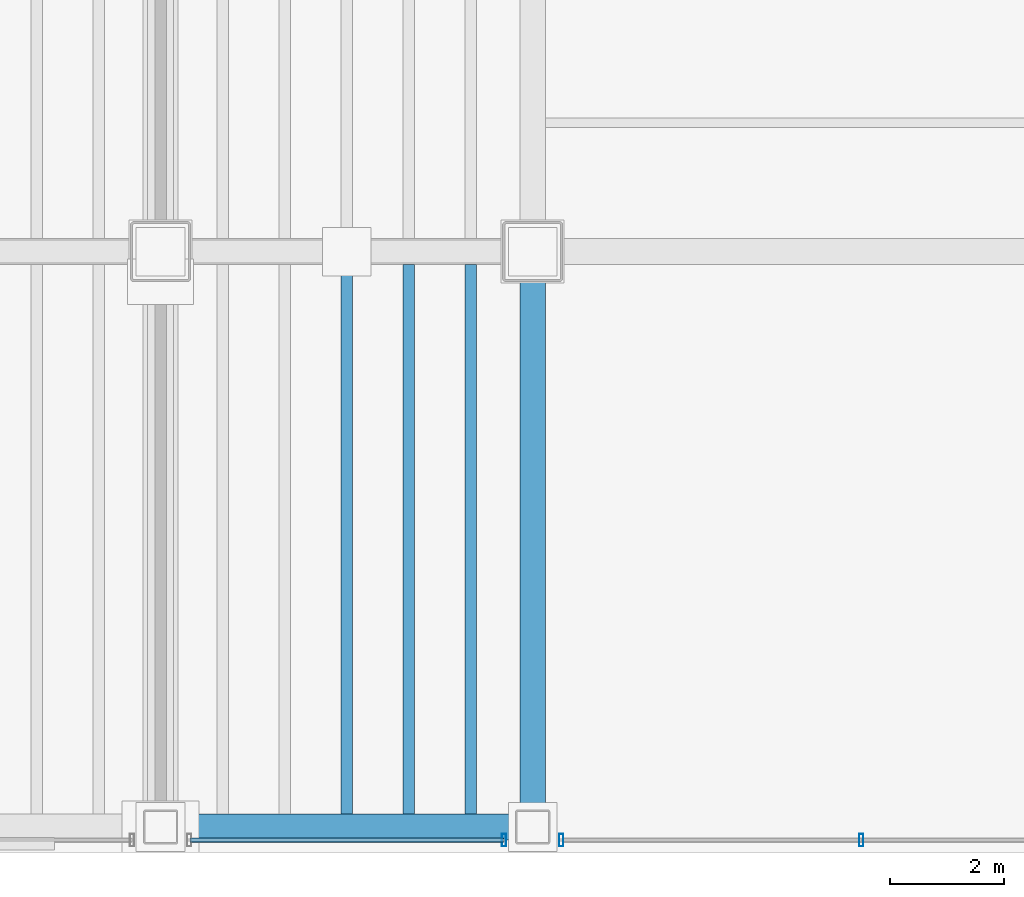
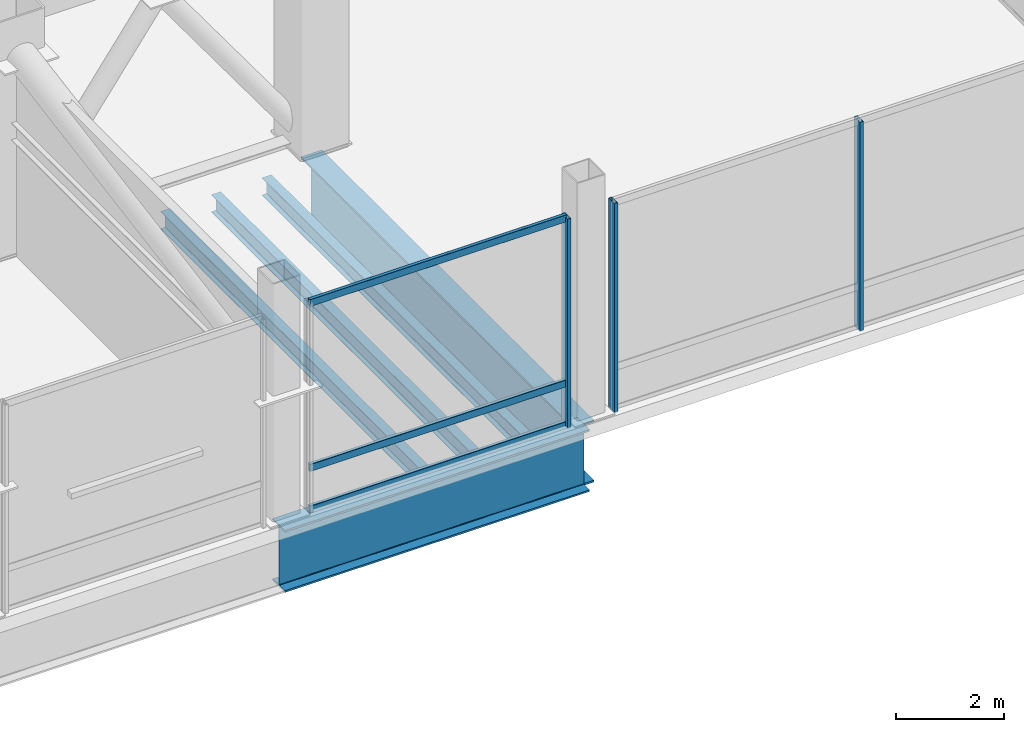
# One storey, part 11 of 20: 6 members, 5 beams, 2 elements without a shape of their own.
"""IFC4 building model written with IfcOpenShell, lengths in metres."""

from ifc_helpers import new_model, si_unit, direction, frame, origin, origin_2d, place, context, subcontext, project, spatial, hollow_rectangle, i_section, extrude, material, material_profile, profile_set, type_object, element, aggregate, save


model = new_model("IFC4")

# Units and contexts
model_context = context("Model", 3, precision=1e-05, world=origin(), true_north=direction((0.0, 1.0)))
body_context = subcontext(model_context, "Body", "Model", "MODEL_VIEW")
ifc_project = project(units=[si_unit("LENGTHUNIT", "METRE"), si_unit("AREAUNIT", "SQUARE_METRE"), si_unit("VOLUMEUNIT", "CUBIC_METRE"), si_unit("PLANEANGLEUNIT", "RADIAN"), si_unit("MASSUNIT", "GRAM", prefix="KILO")], contexts=[model_context])

# Site, building, storey
site_placement = place(None, origin())
site = spatial("IfcSite", under=ifc_project, at=site_placement, CompositionType="ELEMENT")
building_placement = place(site_placement, origin())
building = spatial("IfcBuilding", under=site, at=building_placement, Name="Noeulbin Bourse Tower", CompositionType="ELEMENT")
storey_placement = place(building_placement, frame((0.0, 0.0, 100.60009765625)))
storey = spatial("IfcBuildingStorey", under=building, at=storey_placement, Name="L25", CompositionType="ELEMENT", Elevation=100.60009765625)

# Beams
ifc_material_1 = material(Name="Steel S355", Category="steel")
ifc_material_profile_1 = material_profile(ifc_material_1, i_section(OverallWidth=0.199951171875, OverallDepth=0.39990234375, WebThickness=0.008056640625, FlangeThickness=0.012939453125, FilletRadius=0.01611328125, at=origin_2d()), Name="H-400x200x8x13", Category="LoadBearing")
ifc_profile_set_1 = profile_set([ifc_material_profile_1], Name="Steel S355")
beam_type_1 = type_object("IfcBeamType", Name="BM-SEC-400", PredefinedType="BEAM", material=ifc_profile_set_1)
for number, where, z_axis, x_axis, name in (
    (1, (40.75, 10.175048828125, -0.5), (0.0, 1.0, 0.0), (-1.0, 0.0, 0.0), "Tower Composite Joist L25-61"),
    (2, (41.833251953125, 10.175048828125, -0.5), (0.0, 1.0, 0.0), (-1.0, 0.0, 0.0), "Tower Composite Joist L25-64"),
    (3, (42.916748046875, 10.175048828125, -0.5), (0.0, 1.0, 0.0), (-1.0, 0.0, 0.0), "Tower Composite Joist L25-67"),
):
    element("IfcBeam", number, at=place(storey_placement, frame(where, z_axis=z_axis, x_axis=x_axis)), inside=storey, type_object=beam_type_1, Name=name, PredefinedType="BEAM", context=body_context, shape_type="SweptSolid", body=[
        extrude(i_section(OverallWidth=0.199951171875, OverallDepth=0.39990234375, WebThickness=0.008056640625, FlangeThickness=0.012939453125, FilletRadius=0.01611328125, at=origin_2d()), origin(), (0.0, 0.0, 1.0), 9.599853515625),
    ])
ifc_material_2 = material(Name="Steel S460", Category="steel")
ifc_material_profile_2 = material_profile(ifc_material_2, i_section(OverallWidth=0.449951171875, OverallDepth=1.39990234375, WebThickness=0.02392578125, FlangeThickness=0.0400390625, FilletRadius=0.02392578125, at=origin_2d()), Name="PG-1400x450x24x40", Category="LoadBearing")
ifc_profile_set_2 = profile_set([ifc_material_profile_2], Name="Steel S460")
beam_type_2 = type_object("IfcBeamType", Name="BM-TRF-1400", PredefinedType="USERDEFINED", material=ifc_profile_set_2)
beam_1_placement = place(storey_placement, frame((44.0, 9.949951171875, -1.0), z_axis=(0.0, 1.0, 0.0), x_axis=(-1.0, 0.0, 0.0)))
element("IfcBeam", 4, at=beam_1_placement, inside=storey, type_object=beam_type_2, Name="Tower Primary Girder NS L25-5.1", ObjectType="GIRDER", PredefinedType="USERDEFINED", context=body_context, shape_type="SweptSolid", body=[
    extrude(i_section(OverallWidth=0.449951171875, OverallDepth=1.39990234375, WebThickness=0.02392578125, FlangeThickness=0.0400390625, FilletRadius=0.02392578125, at=origin_2d()), origin(), (0.0, 0.0, 1.0), 10.050048828125),
])
beam_2_placement = place(storey_placement, frame((37.5, 9.949951171875, -1.0), z_axis=(1.0, 0.0, 0.0), x_axis=(0.0, 1.0, 0.0)))
element("IfcBeam", 5, at=beam_2_placement, inside=storey, type_object=beam_type_2, Name="South Spandrel L25-4", ObjectType="GIRDER", PredefinedType="USERDEFINED", context=body_context, shape_type="SweptSolid", body=[
    extrude(i_section(OverallWidth=0.449951171875, OverallDepth=1.39990234375, WebThickness=0.02392578125, FlangeThickness=0.0400390625, FilletRadius=0.02392578125, at=origin_2d()), origin(), (0.0, 0.0, 1.0), 6.5),
])

# Curtain wall, member
ifc_material_3 = material(Name="Translucent Ceramic-Fritted Glass", Category="glass")
curtain_wall_type = type_object("IfcCurtainWallType", Name="CW-SYS-5", PredefinedType="NOTDEFINED", material=ifc_material_3)
curtain_wall_1_placement = place(storey_placement, origin())
curtain_wall_1 = element("IfcCurtainWall", 6, at=curtain_wall_1_placement, inside=storey, type_object=curtain_wall_type, Name="Unitised Curtain Wall CW-L25-S2-S3", PredefinedType="NOTDEFINED")
ifc_material_4 = material(Name="Anodised Aluminium 6063-T6", Category="aluminium")
ifc_material_profile_3 = material_profile(ifc_material_4, hollow_rectangle(XDim=0.074951171875, YDim=0.219970703125, WallThickness=0.0048828125, InnerFilletRadius=0.00244140625, OuterFilletRadius=0.0048828125, at=origin_2d()), Name="ALU-MULL-75x220x5", Category="LoadBearing")
ifc_profile_set_3 = profile_set([ifc_material_profile_3], Name="Anodised Aluminium 6063-T6")
member_type_1 = type_object("IfcMemberType", Name="CW-SYS-5-MUL", PredefinedType="MULLION", material=ifc_profile_set_3)
member_1_placement = place(storey_placement, frame((43.5, 9.719970703125, -0.02001953125), z_axis=(0.0, 0.0, 1.0), x_axis=(1.0, 0.0, 0.0)))
member_1 = element("IfcMember", 7, at=member_1_placement, type_object=member_type_1, Name="Curtain Wall Mullion CW-L25-S2-S3-M01", PredefinedType="MULLION", context=body_context, shape_type="SweptSolid", body=[
    extrude(hollow_rectangle(XDim=0.074951171875, YDim=0.219970703125, WallThickness=0.0048828125, InnerFilletRadius=0.00244140625, OuterFilletRadius=0.0048828125, at=origin_2d()), origin(), (0.0, 0.0, 1.0), 4.719970703125),
])

# Curtain wall, members
curtain_wall_2_placement = place(storey_placement, origin())
curtain_wall_2 = element("IfcCurtainWall", 8, at=curtain_wall_2_placement, inside=storey, type_object=curtain_wall_type, Name="Unitised Curtain Wall CW-L25-S2-S4", PredefinedType="NOTDEFINED")
member_2_placement = place(storey_placement, frame((44.5, 9.719970703125, -0.02001953125), z_axis=(0.0, 0.0, 1.0), x_axis=(1.0, 0.0, 0.0)))
member_2 = element("IfcMember", 9, at=member_2_placement, type_object=member_type_1, Name="Curtain Wall Mullion CW-L25-S2-S4-M00", PredefinedType="MULLION", context=body_context, shape_type="SweptSolid", body=[
    extrude(hollow_rectangle(XDim=0.074951171875, YDim=0.219970703125, WallThickness=0.0048828125, InnerFilletRadius=0.00244140625, OuterFilletRadius=0.0048828125, at=origin_2d()), origin(), (0.0, 0.0, 1.0), 4.719970703125),
])
member_3_placement = place(storey_placement, frame((49.739990234375, 9.719970703125, -0.02001953125), z_axis=(0.0, 0.0, 1.0), x_axis=(1.0, 0.0, 0.0)))
member_3 = element("IfcMember", 10, at=member_3_placement, type_object=member_type_1, Name="Curtain Wall Mullion CW-L25-S2-S4-M01", PredefinedType="MULLION", context=body_context, shape_type="SweptSolid", body=[
    extrude(hollow_rectangle(XDim=0.074951171875, YDim=0.219970703125, WallThickness=0.0048828125, InnerFilletRadius=0.00244140625, OuterFilletRadius=0.0048828125, at=origin_2d()), origin(), (0.0, 0.0, 1.0), 4.719970703125),
])
aggregate(curtain_wall_2, [member_2, member_3])

# Member
ifc_material_profile_4 = material_profile(ifc_material_4, hollow_rectangle(XDim=0.074951171875, YDim=0.159912109375, WallThickness=0.0048828125, InnerFilletRadius=0.00244140625, OuterFilletRadius=0.0048828125, at=origin_2d()), Name="ALU-TRAN-75x160x5", Category="LoadBearing")
ifc_profile_set_4 = profile_set([ifc_material_profile_4], Name="Anodised Aluminium 6063-T6")
member_type_2 = type_object("IfcMemberType", Name="CW-SYS-5-TRN", PredefinedType="USERDEFINED", material=ifc_profile_set_4)
member_4_placement = place(storey_placement, frame((38.010009765625, 9.719970703125, 0.010009765625), z_axis=(1.0, 0.0, 0.0), x_axis=(0.0, 1.0, 0.0)))
member_4 = element("IfcMember", 11, at=member_4_placement, type_object=member_type_2, Name="Curtain Wall Transom CW-L25-S2-S3-T00", ObjectType="TRANSOM", PredefinedType="USERDEFINED", context=body_context, shape_type="SweptSolid", body=[
    extrude(hollow_rectangle(XDim=0.074951171875, YDim=0.159912109375, WallThickness=0.0048828125, InnerFilletRadius=0.00244140625, OuterFilletRadius=0.0048828125, at=origin_2d()), origin(), (0.0, 0.0, 1.0), 5.47998046875),
])

member_5_placement = place(storey_placement, frame((38.010009765625, 9.719970703125, 0.949951171875), z_axis=(1.0, 0.0, 0.0), x_axis=(0.0, 1.0, 0.0)))
member_5 = element("IfcMember", 12, at=member_5_placement, type_object=member_type_2, Name="Curtain Wall Transom CW-L25-S2-S3-T01", ObjectType="TRANSOM", PredefinedType="USERDEFINED", context=body_context, shape_type="SweptSolid", body=[
    extrude(hollow_rectangle(XDim=0.074951171875, YDim=0.159912109375, WallThickness=0.0048828125, InnerFilletRadius=0.00244140625, OuterFilletRadius=0.0048828125, at=origin_2d()), origin(), (0.0, 0.0, 1.0), 5.47998046875),
])

member_6_placement = place(storey_placement, frame((38.010009765625, 9.719970703125, 4.669921875), z_axis=(1.0, 0.0, 0.0), x_axis=(0.0, 1.0, 0.0)))
member_6 = element("IfcMember", 13, at=member_6_placement, type_object=member_type_2, Name="Curtain Wall Transom CW-L25-S2-S3-T02", ObjectType="TRANSOM", PredefinedType="USERDEFINED", context=body_context, shape_type="SweptSolid", body=[
    extrude(hollow_rectangle(XDim=0.074951171875, YDim=0.159912109375, WallThickness=0.0048828125, InnerFilletRadius=0.00244140625, OuterFilletRadius=0.0048828125, at=origin_2d()), origin(), (0.0, 0.0, 1.0), 5.47998046875),
])

aggregate(curtain_wall_1, [member_1, member_4, member_5, member_6])

save(model, "model.ifc")
